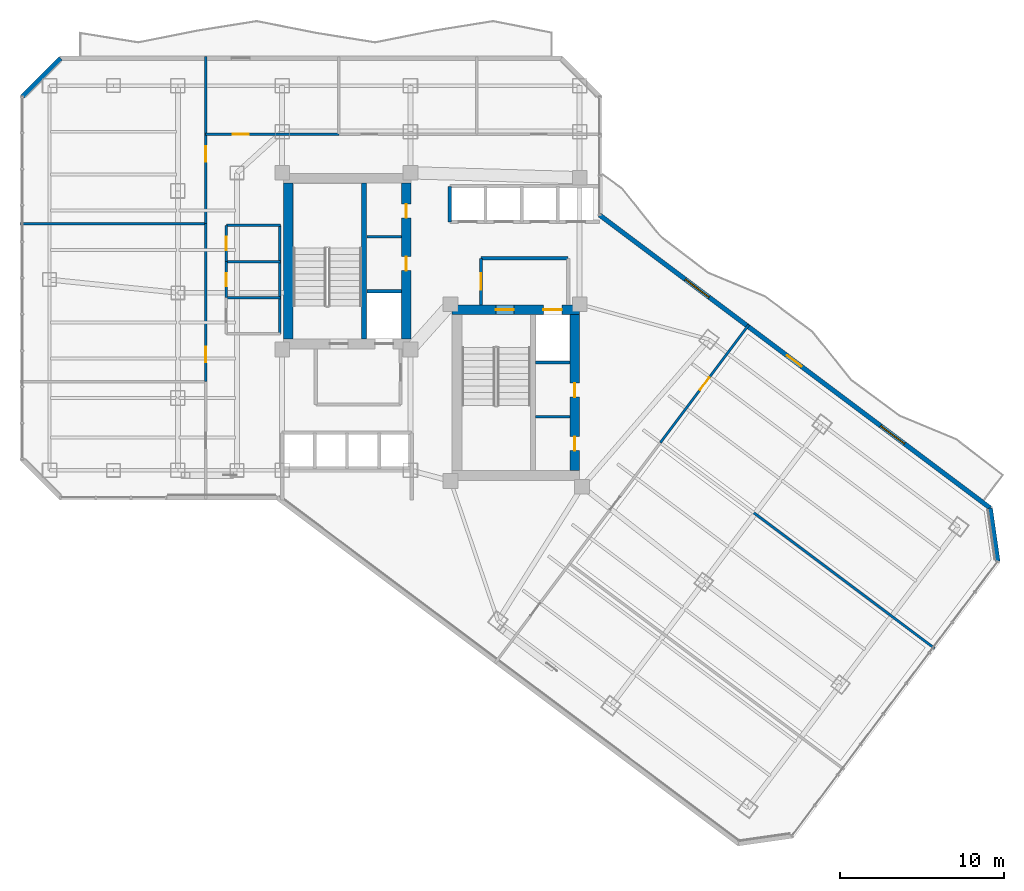
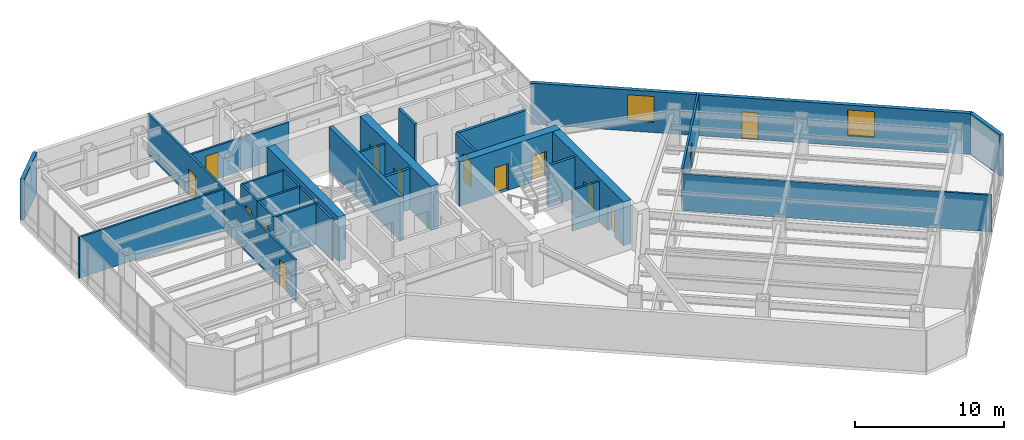
# One storey, part 24 of 30: 27 walls, 14 doors, 2 windows, 16 openings.
"""IFC4 building model written with IfcOpenShell, lengths in metres."""

from ifc_helpers import new_model, si_unit, direction, frame, frame_2d, origin, place, context, subcontext, project, spatial, rectangle, extrude, material, layer, layer_set, type_object, element, fill, save


model = new_model("IFC4")

# Units and contexts
model_context = context("Model", 3, precision=1e-05, world=origin(), true_north=direction((0.0, 1.0)))
body_context = subcontext(model_context, "Body", "Model", "MODEL_VIEW")
ifc_project = project(units=[si_unit("LENGTHUNIT", "METRE"), si_unit("AREAUNIT", "SQUARE_METRE"), si_unit("VOLUMEUNIT", "CUBIC_METRE"), si_unit("PLANEANGLEUNIT", "RADIAN"), si_unit("MASSUNIT", "GRAM", prefix="KILO")], contexts=[model_context])

# Site, building, storey
site_placement = place(None, origin())
site = spatial("IfcSite", under=ifc_project, at=site_placement, CompositionType="ELEMENT")
building_placement = place(site_placement, origin())
building = spatial("IfcBuilding", under=site, at=building_placement, Name="Hatsunagi Terrace Concourse", CompositionType="ELEMENT")
storey_placement = place(building_placement, frame((0.0, 0.0, 101.25)))
storey = spatial("IfcBuildingStorey", under=building, at=storey_placement, Name="L26", CompositionType="ELEMENT", Elevation=101.25)

# Wall
ifc_material_1 = material(Name="Concrete Fc48", Category="concrete")
ifc_layer_1 = layer(ifc_material_1, 0.60009765625)
ifc_layer_set_1 = layer_set([ifc_layer_1], Name="CoreShearWall_Fc48_600")
wall_type_1 = type_object("IfcWallType", Name="CoreShearWall_Fc48_600", PredefinedType="SHEAR", material=ifc_layer_set_1)
wall_1_placement = place(storey_placement, frame((25.919921875, 33.18994140625, 0.0), z_axis=(0.0, 0.0, 1.0), x_axis=(0.0, 1.0, 0.0)))
element("IfcWall", 1, at=wall_1_placement, inside=storey, type_object=wall_type_1, Name="Core A Shear Wall W L26", PredefinedType="SHEAR", context=body_context, shape_type="SweptSolid", body=[
    extrude(rectangle(XDim=9.47998046875, YDim=0.60009765625, at=frame_2d((4.739990234375, 0.0))), origin(), (0.0, 0.0, 1.0), 3.60009765625),
])

# Wall, openings, doors
wall_2_placement = place(storey_placement, frame((33.10009765625, 33.18994140625, 0.0), z_axis=(0.0, 0.0, 1.0), x_axis=(0.0, 1.0, 0.0)))
wall_2 = element("IfcWall", 2, at=wall_2_placement, inside=storey, type_object=wall_type_1, Name="Core A Shear Wall E L26", PredefinedType="SHEAR", context=body_context, shape_type="SweptSolid", body=[
    extrude(rectangle(XDim=9.47998046875, YDim=0.60009765625, at=frame_2d((4.739990234375, 0.0))), origin(), (0.0, 0.0, 1.0), 3.60009765625),
])
opening_1_placement = place(wall_2_placement, frame((4.159912109375, 0.0, 0.0)))
opening_1 = element("IfcOpeningElement", 3, at=opening_1_placement, cuts=wall_2, Name="Opening DR-085", PredefinedType="OPENING", context=body_context, shape_type="SweptSolid", body=[
    extrude(rectangle(XDim=0.85009765625, YDim=2.080078125, at=frame_2d((0.425048828125, 1.0400390625))), frame((0.0, 0.31005859375, 0.0), z_axis=(0.0, -1.0, 0.0), x_axis=(1.0, 0.0, 0.0)), (0.0, 0.0, 1.0), 0.6201171875),
])
opening_2_placement = place(wall_2_placement, frame((7.360107421875, 0.0, 0.0)))
opening_2 = element("IfcOpeningElement", 4, at=opening_2_placement, cuts=wall_2, Name="Opening DR-085", PredefinedType="OPENING", context=body_context, shape_type="SweptSolid", body=[
    extrude(rectangle(XDim=0.85009765625, YDim=2.080078125, at=frame_2d((0.425048828125, 1.0400390625))), frame((0.0, 0.31005859375, 0.0), z_axis=(0.0, -1.0, 0.0), x_axis=(1.0, 0.0, 0.0)), (0.0, 0.0, 1.0), 0.6201171875),
])
ifc_material_2 = material(Name="Painted steel", Category="steel")
door_type_1 = type_object("IfcDoorType", Name="RiserAccessDoor_EI60_850", OperationType="NOTDEFINED", PredefinedType="DOOR", material=ifc_material_2)
door_1_placement = place(opening_1_placement, origin())
door_1 = element("IfcDoor", 5, at=door_1_placement, inside=storey, type_object=door_type_1, Name="Core A Riser Door L26-1", OperationType="SINGLE_SWING_LEFT", OverallHeight=2.080078125, OverallWidth=0.85009765625, PredefinedType="DOOR", context=body_context, shape_type="SweptSolid", body=[
    extrude(rectangle(XDim=0.85009765625, YDim=2.080078125, at=frame_2d((0.425048828125, 1.0400390625))), frame((0.0, 0.02490234375, 0.0), z_axis=(0.0, -1.0, 0.0), x_axis=(1.0, 0.0, 0.0)), (0.0, 0.0, 1.0), 0.050048828125),
])
fill(opening_1, door_1)
door_2_placement = place(opening_2_placement, origin())
door_2 = element("IfcDoor", 6, at=door_2_placement, inside=storey, type_object=door_type_1, Name="Core A Riser Door L26-2", OperationType="SINGLE_SWING_LEFT", OverallHeight=2.080078125, OverallWidth=0.85009765625, PredefinedType="DOOR", context=body_context, shape_type="SweptSolid", body=[
    extrude(rectangle(XDim=0.85009765625, YDim=2.080078125, at=frame_2d((0.425048828125, 1.0400390625))), frame((0.0, 0.02490234375, 0.0), z_axis=(0.0, -1.0, 0.0), x_axis=(1.0, 0.0, 0.0)), (0.0, 0.0, 1.0), 0.050048828125),
])
fill(opening_2, door_2)

wall_3_placement = place(storey_placement, frame((35.889892578125, 34.969970703125, 0.0), z_axis=(0.0, 0.0, 1.0), x_axis=(1.0, 0.0, 0.0)))
wall_3 = element("IfcWall", 7, at=wall_3_placement, inside=storey, type_object=wall_type_1, Name="Core B Shear Wall N L26", PredefinedType="SHEAR", context=body_context, shape_type="SweptSolid", body=[
    extrude(rectangle(XDim=7.760009765625, YDim=0.60009765625, at=frame_2d((3.8798828125, 0.0))), origin(), (0.0, 0.0, 1.0), 3.60009765625),
])
opening_3_placement = place(wall_3_placement, frame((2.659912109375, 0.0, 0.0)))
opening_3 = element("IfcOpeningElement", 8, at=opening_3_placement, cuts=wall_3, Name="Opening DR-110S", PredefinedType="OPENING", context=body_context, shape_type="SweptSolid", body=[
    extrude(rectangle(XDim=1.10009765625, YDim=2.199951171875, at=frame_2d((0.550048828125, 1.10009765625))), frame((0.0, 0.31005859375, 0.0), z_axis=(0.0, -1.0, 0.0), x_axis=(1.0, 0.0, 0.0)), (0.0, 0.0, 1.0), 0.6201171875),
])
opening_4_placement = place(wall_3_placement, frame((5.56005859375, 0.0, 0.0)))
opening_4 = element("IfcOpeningElement", 9, at=opening_4_placement, cuts=wall_3, Name="Opening LD-02", PredefinedType="OPENING", context=body_context, shape_type="SweptSolid", body=[
    extrude(rectangle(XDim=1.1201171875, YDim=2.14990234375, at=frame_2d((0.56005859375, 1.074951171875))), frame((0.0, 0.31005859375, 0.0), z_axis=(0.0, -1.0, 0.0), x_axis=(1.0, 0.0, 0.0)), (0.0, 0.0, 1.0), 0.6201171875),
])
ifc_material_3 = material(Name="Stainless steel", Category="steel")
door_type_2 = type_object("IfcDoorType", Name="LiftLandingDoor_LD02", OperationType="SLIDING_TO_RIGHT", PredefinedType="USERDEFINED", material=ifc_material_3)
door_3_placement = place(opening_4_placement, origin())
door_3 = element("IfcDoor", 10, at=door_3_placement, inside=storey, type_object=door_type_2, Name="Lift landing door FF-02 L26", ObjectType="SLIDING_LANDING_DOOR", OperationType="SLIDING_TO_RIGHT", OverallHeight=2.14990234375, OverallWidth=1.1201171875, PredefinedType="USERDEFINED", context=body_context, shape_type="SweptSolid", body=[
    extrude(rectangle(XDim=1.1201171875, YDim=2.14990234375, at=frame_2d((0.56005859375, 1.074951171875))), frame((0.0, 0.02490234375, 0.0), z_axis=(0.0, -1.0, 0.0), x_axis=(1.0, 0.0, 0.0)), (0.0, 0.0, 1.0), 0.050048828125),
])
fill(opening_4, door_3)
ifc_material_4 = material(Name="Painted steel", Category="steel")
door_type_3 = type_object("IfcDoorType", Name="StairFireDoor_EI60_1100", OperationType="NOTDEFINED", PredefinedType="DOOR", material=ifc_material_4)
door_4_placement = place(opening_3_placement, origin())
door_4 = element("IfcDoor", 11, at=door_4_placement, inside=storey, type_object=door_type_3, Name="Stair ST-B Exit Door L26", OperationType="SINGLE_SWING_RIGHT", OverallHeight=2.199951171875, OverallWidth=1.10009765625, PredefinedType="DOOR", context=body_context, shape_type="SweptSolid", body=[
    extrude(rectangle(XDim=1.10009765625, YDim=2.199951171875, at=frame_2d((0.550048828125, 1.10009765625))), frame((0.0, 0.02490234375, 0.0), z_axis=(0.0, -1.0, 0.0), x_axis=(1.0, 0.0, 0.0)), (0.0, 0.0, 1.0), 0.050048828125),
])
fill(opening_3, door_4)

wall_4_placement = place(storey_placement, frame((43.35009765625, 25.18994140625, 0.0), z_axis=(0.0, 0.0, 1.0), x_axis=(0.0, 1.0, 0.0)))
wall_4 = element("IfcWall", 12, at=wall_4_placement, inside=storey, type_object=wall_type_1, Name="Core B Shear Wall E L26", PredefinedType="SHEAR", context=body_context, shape_type="SweptSolid", body=[
    extrude(rectangle(XDim=9.47998046875, YDim=0.60009765625, at=frame_2d((4.739990234375, 0.0))), origin(), (0.0, 0.0, 1.0), 3.60009765625),
])
opening_5_placement = place(wall_4_placement, frame((1.2099609375, 0.0, 0.0)))
opening_5 = element("IfcOpeningElement", 13, at=opening_5_placement, cuts=wall_4, Name="Opening DR-085", PredefinedType="OPENING", context=body_context, shape_type="SweptSolid", body=[
    extrude(rectangle(XDim=0.85009765625, YDim=2.080078125, at=frame_2d((0.425048828125, 1.0400390625))), frame((0.0, 0.31005859375, 0.0), z_axis=(0.0, -1.0, 0.0), x_axis=(1.0, 0.0, 0.0)), (0.0, 0.0, 1.0), 0.6201171875),
])
opening_6_placement = place(wall_4_placement, frame((4.4599609375, 0.0, 0.0)))
opening_6 = element("IfcOpeningElement", 14, at=opening_6_placement, cuts=wall_4, Name="Opening DR-085", PredefinedType="OPENING", context=body_context, shape_type="SweptSolid", body=[
    extrude(rectangle(XDim=0.85009765625, YDim=2.080078125, at=frame_2d((0.425048828125, 1.0400390625))), frame((0.0, 0.31005859375, 0.0), z_axis=(0.0, -1.0, 0.0), x_axis=(1.0, 0.0, 0.0)), (0.0, 0.0, 1.0), 0.6201171875),
])
door_5_placement = place(opening_5_placement, origin())
door_5 = element("IfcDoor", 15, at=door_5_placement, inside=storey, type_object=door_type_1, Name="Core B Riser Door L26-1", OperationType="SINGLE_SWING_RIGHT", OverallHeight=2.080078125, OverallWidth=0.85009765625, PredefinedType="DOOR", context=body_context, shape_type="SweptSolid", body=[
    extrude(rectangle(XDim=0.85009765625, YDim=2.080078125, at=frame_2d((0.425048828125, 1.0400390625))), frame((0.0, 0.02490234375, 0.0), z_axis=(0.0, -1.0, 0.0), x_axis=(1.0, 0.0, 0.0)), (0.0, 0.0, 1.0), 0.050048828125),
])
fill(opening_5, door_5)
door_6_placement = place(opening_6_placement, origin())
door_6 = element("IfcDoor", 16, at=door_6_placement, inside=storey, type_object=door_type_1, Name="Core B Riser Door L26-2", OperationType="SINGLE_SWING_RIGHT", OverallHeight=2.080078125, OverallWidth=0.85009765625, PredefinedType="DOOR", context=body_context, shape_type="SweptSolid", body=[
    extrude(rectangle(XDim=0.85009765625, YDim=2.080078125, at=frame_2d((0.425048828125, 1.0400390625))), frame((0.0, 0.02490234375, 0.0), z_axis=(0.0, -1.0, 0.0), x_axis=(1.0, 0.0, 0.0)), (0.0, 0.0, 1.0), 0.050048828125),
])
fill(opening_6, door_6)

# Walls
ifc_material_5 = material(Name="Concrete Fc48", Category="concrete")
ifc_layer_2 = layer(ifc_material_5, 0.300048828125)
ifc_layer_set_2 = layer_set([ifc_layer_2], Name="CoreStairDivider_Fc48_300")
wall_type_2 = type_object("IfcWallType", Name="CoreStairDivider_Fc48_300", PredefinedType="SHEAR", material=ifc_layer_set_2)
wall_5_placement = place(storey_placement, frame((30.5400390625, 33.18994140625, 0.0), z_axis=(0.0, 0.0, 1.0), x_axis=(0.0, 1.0, 0.0)))
element("IfcWall", 17, at=wall_5_placement, inside=storey, type_object=wall_type_2, Name="Core A Shear Wall D L26", PredefinedType="SHEAR", context=body_context, shape_type="SweptSolid", body=[
    extrude(rectangle(XDim=9.47998046875, YDim=0.300048828125, at=frame_2d((4.739990234375, 0.0))), origin(), (0.0, 0.0, 1.0), 3.60009765625),
])
ifc_material_6 = material(Name="Acoustic mineral board", Category="gypsum")
ifc_layer_3 = layer(ifc_material_6, 0.14990234375)
ifc_layer_set_3 = layer_set([ifc_layer_3], Name="PartitionWall_EI60_150")
wall_type_3 = type_object("IfcWallType", Name="PartitionWall_EI60_150", PredefinedType="PARTITIONING", material=ifc_layer_set_3)
wall_6_placement = place(storey_placement, frame((30.699951171875, 39.39990234375, 0.0), z_axis=(0.0, 0.0, 1.0), x_axis=(1.0, 0.0, 0.0)))
element("IfcWall", 18, at=wall_6_placement, inside=storey, type_object=wall_type_3, Name="Interior Partition IW-L26-002", PredefinedType="PARTITIONING", context=body_context, shape_type="SweptSolid", body=[
    extrude(rectangle(XDim=2.10009765625, YDim=0.14990234375, at=frame_2d((1.050048828125, 0.0))), origin(), (0.0, 0.0, 1.0), 3.35009765625),
])
wall_7_placement = place(storey_placement, frame((40.969970703125, 28.449951171875, 0.0), z_axis=(0.0, 0.0, 1.0), x_axis=(1.0, 0.0, 0.0)))
element("IfcWall", 19, at=wall_7_placement, inside=storey, type_object=wall_type_3, Name="Interior Partition IW-L26-004", PredefinedType="PARTITIONING", context=body_context, shape_type="SweptSolid", body=[
    extrude(rectangle(XDim=2.080078125, YDim=0.14990234375, at=frame_2d((1.0400390625, 0.0))), origin(), (0.0, 0.0, 1.0), 3.35009765625),
])
wall_8_placement = place(storey_placement, frame((22.14990234375, 40.10009765625, 0.0), z_axis=(0.0, 0.0, 1.0), x_axis=(1.0, 0.0, 0.0)))
element("IfcWall", 20, at=wall_8_placement, inside=storey, type_object=wall_type_3, Name="Interior Partition IW-L26-025", PredefinedType="PARTITIONING", context=body_context, shape_type="SweptSolid", body=[
    extrude(rectangle(XDim=3.300048828125, YDim=0.14990234375, at=frame_2d((1.64990234375, 0.0))), origin(), (0.0, 0.0, 1.0), 3.35009765625),
])
wall_9_placement = place(storey_placement, frame((25.39990234375, 33.5, 0.0), z_axis=(0.0, 0.0, 1.0), x_axis=(0.0, 1.0, 0.0)))
element("IfcWall", 21, at=wall_9_placement, inside=storey, type_object=wall_type_3, Name="Interior Partition IW-L26-026", PredefinedType="PARTITIONING", context=body_context, shape_type="SweptSolid", body=[
    extrude(rectangle(XDim=6.60009765625, YDim=0.14990234375, at=frame_2d((3.300048828125, 0.0))), origin(), (0.0, 0.0, 1.0), 3.35009765625),
])
for number, where, z_axis, x_axis, name in (
    (22, (22.14990234375, 35.699951171875, 0.0), (0.0, 0.0, 1.0), (1.0, 0.0, 0.0), "Interior Partition IW-L26-027"),
    (23, (22.14990234375, 37.89990234375, 0.0), (0.0, 0.0, 1.0), (1.0, 0.0, 0.0), "Interior Partition IW-L26-028"),
):
    element("IfcWall", number, at=place(storey_placement, frame(where, z_axis=z_axis, x_axis=x_axis)), inside=storey, type_object=wall_type_3, Name=name, PredefinedType="PARTITIONING", context=body_context, shape_type="SweptSolid", body=[
        extrude(rectangle(XDim=3.300048828125, YDim=0.14990234375, at=frame_2d((1.64990234375, 0.0))), origin(), (0.0, 0.0, 1.0), 3.35009765625),
    ])

# Wall, opening, door
wall_10_placement = place(storey_placement, frame((22.14990234375, 35.699951171875, 0.0), z_axis=(0.0, 0.0, 1.0), x_axis=(0.0, 1.0, 0.0)))
wall_10 = element("IfcWall", 24, at=wall_10_placement, inside=storey, type_object=wall_type_3, Name="Interior Partition IW-L26-030", PredefinedType="PARTITIONING", context=body_context, shape_type="SweptSolid", body=[
    extrude(rectangle(XDim=2.199951171875, YDim=0.14990234375, at=frame_2d((1.10009765625, 0.0))), origin(), (0.0, 0.0, 1.0), 3.35009765625),
])
opening_7_placement = place(wall_10_placement, frame((0.699951171875, 0.0, 0.0)))
opening_7 = element("IfcOpeningElement", 25, at=opening_7_placement, cuts=wall_10, Name="Opening DR-080", PredefinedType="OPENING", context=body_context, shape_type="SweptSolid", body=[
    extrude(rectangle(XDim=0.800048828125, YDim=2.06005859375, at=frame_2d((0.39990234375, 1.030029296875))), frame((0.0, 0.0849609375, 0.0), z_axis=(0.0, -1.0, 0.0), x_axis=(1.0, 0.0, 0.0)), (0.0, 0.0, 1.0), 0.169921875),
])
ifc_material_7 = material(Name="Hardwood timber", Category="wood")
door_type_4 = type_object("IfcDoorType", Name="BathroomDoor_800", OperationType="NOTDEFINED", PredefinedType="DOOR", material=ifc_material_7)
door_7_placement = place(opening_7_placement, origin())
door_7 = element("IfcDoor", 26, at=door_7_placement, inside=storey, type_object=door_type_4, Name="Female Restroom Door L26", OperationType="SINGLE_SWING_RIGHT", OverallHeight=2.06005859375, OverallWidth=0.800048828125, PredefinedType="DOOR", context=body_context, shape_type="SweptSolid", body=[
    extrude(rectangle(XDim=0.800048828125, YDim=2.06005859375, at=frame_2d((0.39990234375, 1.030029296875))), frame((0.0, 0.02490234375, 0.0), z_axis=(0.0, -1.0, 0.0), x_axis=(1.0, 0.0, 0.0)), (0.0, 0.0, 1.0), 0.050048828125),
])
fill(opening_7, door_7)

wall_11_placement = place(storey_placement, frame((22.14990234375, 37.89990234375, 0.0), z_axis=(0.0, 0.0, 1.0), x_axis=(0.0, 1.0, 0.0)))
wall_11 = element("IfcWall", 27, at=wall_11_placement, inside=storey, type_object=wall_type_3, Name="Interior Partition IW-L26-031", PredefinedType="PARTITIONING", context=body_context, shape_type="SweptSolid", body=[
    extrude(rectangle(XDim=2.2001953125, YDim=0.14990234375, at=frame_2d((1.10009765625, 0.0))), origin(), (0.0, 0.0, 1.0), 3.35009765625),
])
opening_8_placement = place(wall_11_placement, frame((0.699951171875, 0.0, 0.0)))
opening_8 = element("IfcOpeningElement", 28, at=opening_8_placement, cuts=wall_11, Name="Opening DR-080", PredefinedType="OPENING", context=body_context, shape_type="SweptSolid", body=[
    extrude(rectangle(XDim=0.800048828125, YDim=2.06005859375, at=frame_2d((0.39990234375, 1.030029296875))), frame((0.0, 0.0849609375, 0.0), z_axis=(0.0, -1.0, 0.0), x_axis=(1.0, 0.0, 0.0)), (0.0, 0.0, 1.0), 0.169921875),
])
door_8_placement = place(opening_8_placement, origin())
door_8 = element("IfcDoor", 29, at=door_8_placement, inside=storey, type_object=door_type_4, Name="Male Restroom Door L26", OperationType="SINGLE_SWING_RIGHT", OverallHeight=2.06005859375, OverallWidth=0.800048828125, PredefinedType="DOOR", context=body_context, shape_type="SweptSolid", body=[
    extrude(rectangle(XDim=0.800048828125, YDim=2.06005859375, at=frame_2d((0.39990234375, 1.030029296875))), frame((0.0, 0.02490234375, 0.0), z_axis=(0.0, -1.0, 0.0), x_axis=(1.0, 0.0, 0.0)), (0.0, 0.0, 1.0), 0.050048828125),
])
fill(opening_8, door_8)

# Wall
wall_12_placement = place(storey_placement, frame((9.639892578125, 40.199951171875, 0.0), z_axis=(0.0, 0.0, 1.0), x_axis=(1.0, 0.0, 0.0)))
element("IfcWall", 30, at=wall_12_placement, inside=storey, type_object=wall_type_3, Name="Interior Partition IW-L26-034", PredefinedType="PARTITIONING", context=body_context, shape_type="SweptSolid", body=[
    extrude(rectangle(XDim=11.260009765625, YDim=0.14990234375, at=frame_2d((5.6298828125, 0.0))), origin(), (0.0, 0.0, 1.0), 3.35009765625),
])

# Wall, opening, door
wall_13_placement = place(storey_placement, frame((20.89990234375, 30.60009765625, 0.0), z_axis=(0.0, 0.0, 1.0), x_axis=(0.0, 1.0, 0.0)))
wall_13 = element("IfcWall", 31, at=wall_13_placement, inside=storey, type_object=wall_type_3, Name="Interior Partition IW-L26-035", PredefinedType="PARTITIONING", context=body_context, shape_type="SweptSolid", body=[
    extrude(rectangle(XDim=9.599853515625, YDim=0.14990234375, at=frame_2d((4.7998046875, 0.0))), origin(), (0.0, 0.0, 1.0), 3.35009765625),
])
opening_9_placement = place(wall_13_placement, frame((1.1689453125, 0.0, 0.0)))
opening_9 = element("IfcOpeningElement", 32, at=opening_9_placement, cuts=wall_13, Name="Opening DR-095", PredefinedType="OPENING", context=body_context, shape_type="SweptSolid", body=[
    extrude(rectangle(XDim=0.949951171875, YDim=2.14990234375, at=frame_2d((0.47509765625, 1.074951171875))), frame((0.0, 0.0849609375, 0.0), z_axis=(0.0, -1.0, 0.0), x_axis=(1.0, 0.0, 0.0)), (0.0, 0.0, 1.0), 0.169921875),
])
ifc_material_8 = material(Name="Hardwood timber", Category="wood")
door_type_5 = type_object("IfcDoorType", Name="InteriorSuiteDoor_EI30_950", OperationType="NOTDEFINED", PredefinedType="DOOR", material=ifc_material_8)
door_9_placement = place(opening_9_placement, origin())
door_9 = element("IfcDoor", 33, at=door_9_placement, inside=storey, type_object=door_type_5, Name="Boardroom L26-OW2 Door", OperationType="SINGLE_SWING_RIGHT", OverallHeight=2.14990234375, OverallWidth=0.949951171875, PredefinedType="DOOR", context=body_context, shape_type="SweptSolid", body=[
    extrude(rectangle(XDim=0.949951171875, YDim=2.14990234375, at=frame_2d((0.47509765625, 1.074951171875))), frame((0.0, 0.02490234375, 0.0), z_axis=(0.0, -1.0, 0.0), x_axis=(1.0, 0.0, 0.0)), (0.0, 0.0, 1.0), 0.050048828125),
])
fill(opening_9, door_9)

wall_14_placement = place(storey_placement, frame((20.89990234375, 40.199951171875, 0.0), z_axis=(0.0, 0.0, 1.0), x_axis=(0.0, 1.0, 0.0)))
wall_14 = element("IfcWall", 34, at=wall_14_placement, inside=storey, type_object=wall_type_3, Name="Interior Partition IW-L26-036", PredefinedType="PARTITIONING", context=body_context, shape_type="SweptSolid", body=[
    extrude(rectangle(XDim=10.16015625, YDim=0.14990234375, at=frame_2d((5.080078125, 0.0))), origin(), (0.0, 0.0, 1.0), 3.35009765625),
])
opening_10_placement = place(wall_14_placement, frame((3.760009765625, 0.0, 0.0)))
opening_10 = element("IfcOpeningElement", 35, at=opening_10_placement, cuts=wall_14, Name="Opening DR-095", PredefinedType="OPENING", context=body_context, shape_type="SweptSolid", body=[
    extrude(rectangle(XDim=0.949951171875, YDim=2.14990234375, at=frame_2d((0.47509765625, 1.074951171875))), frame((0.0, 0.0849609375, 0.0), z_axis=(0.0, -1.0, 0.0), x_axis=(1.0, 0.0, 0.0)), (0.0, 0.0, 1.0), 0.169921875),
])
door_10_placement = place(opening_10_placement, origin())
door_10 = element("IfcDoor", 36, at=door_10_placement, inside=storey, type_object=door_type_5, Name="Design Studio L26-OW3 Door", OperationType="SINGLE_SWING_LEFT", OverallHeight=2.14990234375, OverallWidth=0.949951171875, PredefinedType="DOOR", context=body_context, shape_type="SweptSolid", body=[
    extrude(rectangle(XDim=0.949951171875, YDim=2.14990234375, at=frame_2d((0.47509765625, 1.074951171875))), frame((0.0, 0.02490234375, 0.0), z_axis=(0.0, -1.0, 0.0), x_axis=(1.0, 0.0, 0.0)), (0.0, 0.0, 1.0), 0.050048828125),
])
fill(opening_10, door_10)

wall_15_placement = place(storey_placement, frame((20.89990234375, 45.64990234375, 0.0), z_axis=(0.0, 0.0, 1.0), x_axis=(1.0, 0.0, 0.0)))
wall_15 = element("IfcWall", 37, at=wall_15_placement, inside=storey, type_object=wall_type_3, Name="Interior Partition IW-L26-037", PredefinedType="PARTITIONING", context=body_context, shape_type="SweptSolid", body=[
    extrude(rectangle(XDim=8.10009765625, YDim=0.14990234375, at=frame_2d((4.050048828125, 0.0))), origin(), (0.0, 0.0, 1.0), 2.695068359375),
])
opening_11_placement = place(wall_15_placement, frame((1.657958984375, 0.0, 0.0)))
opening_11 = element("IfcOpeningElement", 38, at=opening_11_placement, cuts=wall_15, Name="Opening DR-095", PredefinedType="OPENING", context=body_context, shape_type="SweptSolid", body=[
    extrude(rectangle(XDim=0.949951171875, YDim=2.14990234375, at=frame_2d((0.47509765625, 1.074951171875))), frame((0.0, 0.0849609375, 0.0), z_axis=(0.0, -1.0, 0.0), x_axis=(1.0, 0.0, 0.0)), (0.0, 0.0, 1.0), 0.169921875),
])
door_11_placement = place(opening_11_placement, origin())
door_11 = element("IfcDoor", 39, at=door_11_placement, inside=storey, type_object=door_type_5, Name="Boardroom L26-ON1 Door", OperationType="SINGLE_SWING_LEFT", OverallHeight=2.14990234375, OverallWidth=0.949951171875, PredefinedType="DOOR", context=body_context, shape_type="SweptSolid", body=[
    extrude(rectangle(XDim=0.949951171875, YDim=2.14990234375, at=frame_2d((0.47509765625, 1.074951171875))), frame((0.0, 0.02490234375, 0.0), z_axis=(0.0, -1.0, 0.0), x_axis=(1.0, 0.0, 0.0)), (0.0, 0.0, 1.0), 0.050048828125),
])
fill(opening_11, door_11)

# Wall
wall_16_placement = place(storey_placement, frame((48.56005859375, 26.8798828125, 0.0), z_axis=(0.0, 0.0, 1.0), x_axis=(0.800002808908, -0.599996254772, 0.0)))
element("IfcWall", 40, at=wall_16_placement, inside=storey, type_object=wall_type_3, Name="Interior Partition IW-L26-044", PredefinedType="PARTITIONING", context=body_context, shape_type="SweptSolid", body=[
    extrude(rectangle(XDim=20.85986328125, YDim=0.14990234375, at=frame_2d((10.429931640625, 0.0))), origin(), (0.0, 0.0, 1.0), 2.9951171875),
])

# Wall, opening, door
wall_17_placement = place(storey_placement, frame((48.56005859375, 26.8798828125, 0.0), z_axis=(0.0, 0.0, 1.0), x_axis=(0.599986921186, 0.800009808944, 0.0)))
wall_17 = element("IfcWall", 41, at=wall_17_placement, inside=storey, type_object=wall_type_3, Name="Interior Partition IW-L26-046", PredefinedType="PARTITIONING", context=body_context, shape_type="SweptSolid", body=[
    extrude(rectangle(XDim=8.960205078125, YDim=0.14990234375, at=frame_2d((4.47998046875, 0.0))), origin(), (0.0, 0.0, 1.0), 3.35009765625),
])
opening_12_placement = place(wall_17_placement, frame((4.0048828125, 0.0, 0.0)))
opening_12 = element("IfcOpeningElement", 42, at=opening_12_placement, cuts=wall_17, Name="Opening DR-095", PredefinedType="OPENING", context=body_context, shape_type="SweptSolid", body=[
    extrude(rectangle(XDim=0.949951171875, YDim=2.14990234375, at=frame_2d((0.47509765625, 1.074951171875))), frame((0.0, 0.0849609375, 0.0), z_axis=(0.0, -1.0, 0.0), x_axis=(1.0, 0.0, 0.0)), (0.0, 0.0, 1.0), 0.169921875),
])
door_12_placement = place(opening_12_placement, origin())
door_12 = element("IfcDoor", 43, at=door_12_placement, inside=storey, type_object=door_type_5, Name="Research Focus Suite L26-OSE3 Door", OperationType="SINGLE_SWING_RIGHT", OverallHeight=2.14990234375, OverallWidth=0.949951171875, PredefinedType="DOOR", context=body_context, shape_type="SweptSolid", body=[
    extrude(rectangle(XDim=0.949951171875, YDim=2.14990234375, at=frame_2d((0.47509765625, 1.074951171875))), frame((0.0, 0.02490234375, 0.0), z_axis=(0.0, -1.0, 0.0), x_axis=(1.0, 0.0, 0.0)), (0.0, 0.0, 1.0), 0.050048828125),
])
fill(opening_12, door_12)

# Walls
ifc_material_9 = material(Name="Acoustic mineral board", Category="gypsum")
ifc_layer_4 = layer(ifc_material_9, 0.199951171875)
ifc_layer_set_4 = layer_set([ifc_layer_4], Name="ShaftWall_EI120_200")
wall_type_4 = type_object("IfcWallType", Name="ShaftWall_EI120_200", PredefinedType="STANDARD", material=ifc_layer_set_4)
wall_18_placement = place(storey_placement, frame((30.699951171875, 36.10009765625, 0.0), z_axis=(0.0, 0.0, 1.0), x_axis=(1.0, 0.0, 0.0)))
element("IfcWall", 44, at=wall_18_placement, inside=storey, type_object=wall_type_4, Name="Interior Partition IW-L26-001", PredefinedType="STANDARD", context=body_context, shape_type="SweptSolid", body=[
    extrude(rectangle(XDim=2.10009765625, YDim=0.199951171875, at=frame_2d((1.050048828125, 0.0))), origin(), (0.0, 0.0, 1.0), 3.35009765625),
])
wall_19_placement = place(storey_placement, frame((40.969970703125, 31.760009765625, 0.0), z_axis=(0.0, 0.0, 1.0), x_axis=(1.0, 0.0, 0.0)))
element("IfcWall", 45, at=wall_19_placement, inside=storey, type_object=wall_type_4, Name="Interior Partition IW-L26-003", PredefinedType="STANDARD", context=body_context, shape_type="SweptSolid", body=[
    extrude(rectangle(XDim=2.080078125, YDim=0.199951171875, at=frame_2d((1.0400390625, 0.0))), origin(), (0.0, 0.0, 1.0), 3.35009765625),
])
wall_20_placement = place(storey_placement, frame((37.64990234375, 38.10009765625, 0.0), z_axis=(0.0, 0.0, 1.0), x_axis=(1.0, 0.0, 0.0)))
element("IfcWall", 46, at=wall_20_placement, inside=storey, type_object=wall_type_4, Name="Interior Partition IW-L26-008", PredefinedType="STANDARD", context=body_context, shape_type="SweptSolid", body=[
    extrude(rectangle(XDim=5.300048828125, YDim=0.199951171875, at=frame_2d((2.64990234375, 0.0))), origin(), (0.0, 0.0, 1.0), 3.35009765625),
])

# Wall, opening, door
wall_21_placement = place(storey_placement, frame((37.64990234375, 35.27001953125, 0.0), z_axis=(0.0, 0.0, 1.0), x_axis=(0.0, 1.0, 0.0)))
wall_21 = element("IfcWall", 47, at=wall_21_placement, inside=storey, type_object=wall_type_4, Name="Interior Partition IW-L26-010", PredefinedType="STANDARD", context=body_context, shape_type="SweptSolid", body=[
    extrude(rectangle(XDim=2.830078125, YDim=0.199951171875, at=frame_2d((1.4150390625, 0.0))), origin(), (0.0, 0.0, 1.0), 3.35009765625),
])
opening_13_placement = place(wall_21_placement, frame((0.9150390625, 0.0, 0.0)))
opening_13 = element("IfcOpeningElement", 48, at=opening_13_placement, cuts=wall_21, Name="Opening DR-100F", PredefinedType="OPENING", context=body_context, shape_type="SweptSolid", body=[
    extrude(rectangle(XDim=1.0, YDim=2.199951171875, at=frame_2d((0.5, 1.10009765625))), frame((0.0, 0.10986328125, 0.0), z_axis=(0.0, -1.0, 0.0), x_axis=(1.0, 0.0, 0.0)), (0.0, 0.0, 1.0), 0.219970703125),
])
ifc_material_10 = material(Name="Painted steel", Category="steel")
door_type_6 = type_object("IfcDoorType", Name="FireDoor_EI60_1000", OperationType="NOTDEFINED", PredefinedType="DOOR", material=ifc_material_10)
door_13_placement = place(opening_13_placement, origin())
door_13 = element("IfcDoor", 49, at=door_13_placement, inside=storey, type_object=door_type_6, Name="Firefighting Lobby B Door L26", OperationType="SINGLE_SWING_RIGHT", OverallHeight=2.199951171875, OverallWidth=1.0, PredefinedType="DOOR", context=body_context, shape_type="SweptSolid", body=[
    extrude(rectangle(XDim=1.0, YDim=2.199951171875, at=frame_2d((0.5, 1.10009765625))), frame((0.0, 0.02490234375, 0.0), z_axis=(0.0, -1.0, 0.0), x_axis=(1.0, 0.0, 0.0)), (0.0, 0.0, 1.0), 0.050048828125),
])
fill(opening_13, door_13)

# Wall
wall_22_placement = place(storey_placement, frame((35.75, 40.320068359375, 0.0), z_axis=(0.0, 0.0, 1.0), x_axis=(0.0, 1.0, 0.0)))
element("IfcWall", 50, at=wall_22_placement, inside=storey, type_object=wall_type_4, Name="Interior Partition IW-L26-019", PredefinedType="STANDARD", context=body_context, shape_type="SweptSolid", body=[
    extrude(rectangle(XDim=2.159912109375, YDim=0.199951171875, at=frame_2d((1.080078125, 0.0))), origin(), (0.0, 0.0, 1.0), 3.35009765625),
])

# Wall, openings, door, windows
ifc_material_11 = material(Name="Autoclaved Lightweight Concrete and Terracotta Cladding", Category="masonry")
ifc_layer_5 = layer(ifc_material_11, 0.280029296875)
ifc_layer_set_5 = layer_set([ifc_layer_5], Name="TerracottaSpandrelWall_280")
wall_type_5 = type_object("IfcWallType", Name="TerracottaSpandrelWall_280", PredefinedType="STANDARD", material=ifc_layer_set_5)
wall_23_placement = place(storey_placement, frame((44.860107421875, 40.72998046875, 0.0), z_axis=(0.0, 0.0, 1.0), x_axis=(0.800006902154, -0.599990797017, 0.0)))
wall_23 = element("IfcWall", 51, at=wall_23_placement, inside=storey, type_object=wall_type_5, Name="Exterior Spandrel Wall EW-L26-01", PredefinedType="STANDARD", context=body_context, shape_type="SweptSolid", body=[
    extrude(rectangle(XDim=29.7119140625, YDim=0.280029296875, at=frame_2d((14.85595703125, 0.0))), origin(), (0.0, 0.0, 1.0), 3.35009765625),
])
opening_14_placement = place(wall_23_placement, frame((14.2490234375, 0.0, 0.0)))
opening_14 = element("IfcOpeningElement", 52, at=opening_14_placement, cuts=wall_23, Name="Opening BD-01", PredefinedType="OPENING", context=body_context, shape_type="SweptSolid", body=[
    extrude(rectangle(XDim=1.10009765625, YDim=2.199951171875, at=frame_2d((0.550048828125, 1.10009765625))), frame((0.0, 0.14990234375, 0.0), z_axis=(0.0, -1.0, 0.0), x_axis=(1.0, 0.0, 0.0)), (0.0, 0.0, 1.0), 0.300048828125),
])
opening_15_placement = place(wall_23_placement, frame((6.528076171875, 0.0, 0.85009765625)))
opening_15 = element("IfcOpeningElement", 53, at=opening_15_placement, cuts=wall_23, Name="Opening WIN-03", PredefinedType="OPENING", context=body_context, shape_type="SweptSolid", body=[
    extrude(rectangle(XDim=1.800048828125, YDim=2.10009765625, at=frame_2d((0.89990234375, 1.050048828125))), frame((0.0, 0.14990234375, 0.0), z_axis=(0.0, -1.0, 0.0), x_axis=(1.0, 0.0, 0.0)), (0.0, 0.0, 1.0), 0.300048828125),
])
opening_16_placement = place(wall_23_placement, frame((21.384033203125, 0.0, 0.85009765625)))
opening_16 = element("IfcOpeningElement", 54, at=opening_16_placement, cuts=wall_23, Name="Opening WIN-03", PredefinedType="OPENING", context=body_context, shape_type="SweptSolid", body=[
    extrude(rectangle(XDim=1.800048828125, YDim=2.10009765625, at=frame_2d((0.89990234375, 1.050048828125))), frame((0.0, 0.14990234375, 0.0), z_axis=(0.0, -1.0, 0.0), x_axis=(1.0, 0.0, 0.0)), (0.0, 0.0, 1.0), 0.300048828125),
])
ifc_material_12 = material(Name="Galvanised Steel and Laminated Safety Glass", Category="steel")
door_type_7 = type_object("IfcDoorType", Name="BalconyTerraceAccessDoor_1100x2200", OperationType="SINGLE_SWING_LEFT", PredefinedType="DOOR", material=ifc_material_12)
door_14_placement = place(opening_14_placement, origin())
door_14 = element("IfcDoor", 55, at=door_14_placement, inside=storey, type_object=door_type_7, Name="Engawa Balcony Door L26-BSE", OperationType="SINGLE_SWING_LEFT", OverallHeight=2.199951171875, OverallWidth=1.10009765625, PredefinedType="DOOR", context=body_context, shape_type="SweptSolid", body=[
    extrude(rectangle(XDim=1.10009765625, YDim=2.199951171875, at=frame_2d((0.550048828125, 1.10009765625))), frame((0.0, 0.02490234375, 0.0), z_axis=(0.0, -1.0, 0.0), x_axis=(1.0, 0.0, 0.0)), (0.0, 0.0, 1.0), 0.050048828125),
])
fill(opening_14, door_14)
ifc_material_13 = material(Name="Thermally Broken Aluminium and Low-E Triple Glazing", Category="aluminium")
window_type = type_object("IfcWindowType", Name="OfficeCornerFeatureWindow_1800x2100", PartitioningType="SINGLE_PANEL", PredefinedType="WINDOW", material=ifc_material_13)
window_1_placement = place(opening_15_placement, origin())
window_1 = element("IfcWindow", 56, at=window_1_placement, inside=storey, type_object=window_type, Name="Balcony Daylighting Window L26-01-1", OverallHeight=2.10009765625, OverallWidth=1.800048828125, PartitioningType="SINGLE_PANEL", PredefinedType="WINDOW", context=body_context, shape_type="SweptSolid", body=[
    extrude(rectangle(XDim=1.800048828125, YDim=2.10009765625, at=frame_2d((0.89990234375, 1.050048828125))), frame((0.0, 0.030029296875, 0.0), z_axis=(0.0, -1.0, 0.0), x_axis=(1.0, 0.0, 0.0)), (0.0, 0.0, 1.0), 0.06005859375),
])
fill(opening_15, window_1)
window_2_placement = place(opening_16_placement, origin())
window_2 = element("IfcWindow", 57, at=window_2_placement, inside=storey, type_object=window_type, Name="Balcony Daylighting Window L26-01-2", OverallHeight=2.10009765625, OverallWidth=1.800048828125, PartitioningType="SINGLE_PANEL", PredefinedType="WINDOW", context=body_context, shape_type="SweptSolid", body=[
    extrude(rectangle(XDim=1.800048828125, YDim=2.10009765625, at=frame_2d((0.89990234375, 1.050048828125))), frame((0.0, 0.030029296875, 0.0), z_axis=(0.0, -1.0, 0.0), x_axis=(1.0, 0.0, 0.0)), (0.0, 0.0, 1.0), 0.06005859375),
])
fill(opening_16, window_2)

# Walls
wall_24_placement = place(storey_placement, frame((68.6298828125, 22.903076171875, 0.0), z_axis=(0.0, 0.0, 1.0), x_axis=(0.141285803956, -0.989968848803, 0.0)))
element("IfcWall", 58, at=wall_24_placement, inside=storey, type_object=wall_type_5, Name="Exterior Spandrel Wall EW-L26-02", PredefinedType="STANDARD", context=body_context, shape_type="SweptSolid", body=[
    extrude(rectangle(XDim=3.278076171875, YDim=0.280029296875, at=frame_2d((1.63916015625, 0.0))), origin(), (0.0, 0.0, 1.0), 3.35009765625),
])
wall_25_placement = place(storey_placement, frame((9.739990234375, 47.94189453125, 0.0), z_axis=(0.0, 0.0, 1.0), x_axis=(0.707106781187, 0.707106781187, 0.0)))
element("IfcWall", 59, at=wall_25_placement, inside=storey, type_object=wall_type_5, Name="Exterior Spandrel Wall EW-L26-10", PredefinedType="STANDARD", context=body_context, shape_type="SweptSolid", body=[
    extrude(rectangle(XDim=3.2783203125, YDim=0.280029296875, at=frame_2d((1.63916015625, 0.0))), origin(), (0.0, 0.0, 1.0), 3.35009765625),
])

save(model, "model.ifc")
